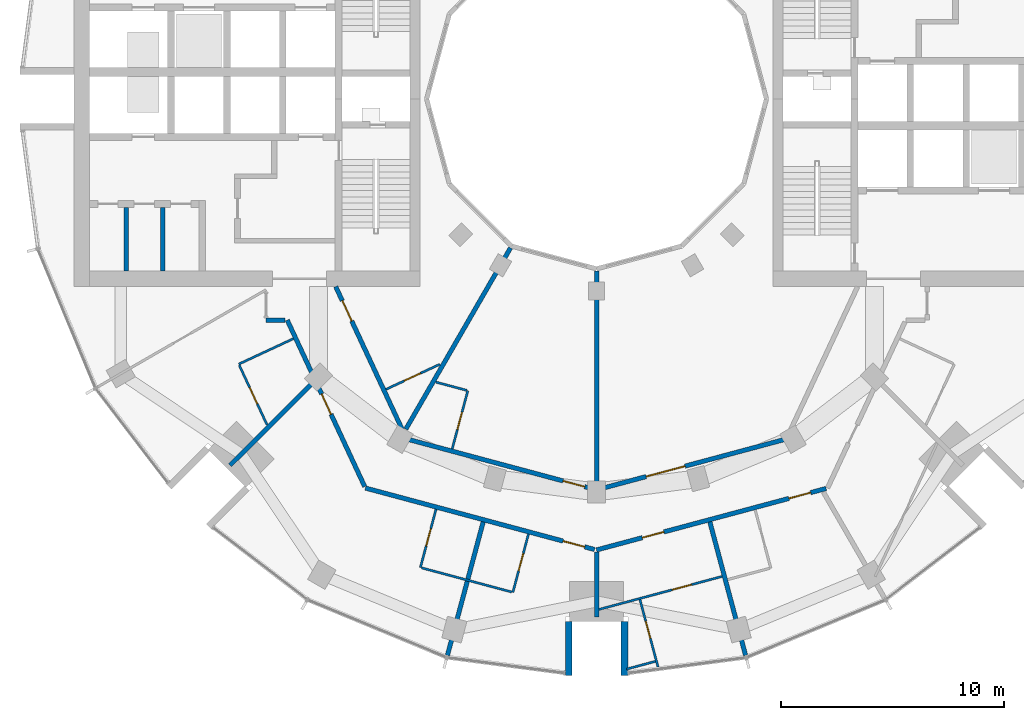
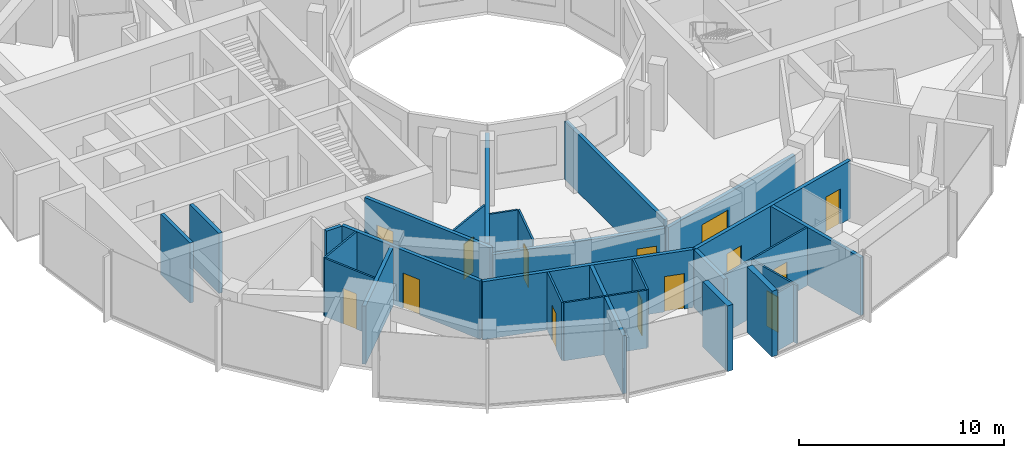
# One storey, part 8 of 15: 28 walls, 14 doors, 14 openings.
"""IFC4 building model written with IfcOpenShell, lengths in metres."""

from ifc_helpers import new_model, si_unit, direction, frame, frame_2d, origin, place, context, subcontext, project, spatial, rectangle, extrude, material, layer, layer_set, type_object, element, fill, save


model = new_model("IFC4")

# Units and contexts
model_context = context("Model", 3, precision=1e-05, world=origin(), true_north=direction((0.0, 1.0)))
body_context = subcontext(model_context, "Body", "Model", "MODEL_VIEW")
ifc_project = project(units=[si_unit("LENGTHUNIT", "METRE"), si_unit("AREAUNIT", "SQUARE_METRE"), si_unit("VOLUMEUNIT", "CUBIC_METRE"), si_unit("PLANEANGLEUNIT", "RADIAN"), si_unit("MASSUNIT", "GRAM", prefix="KILO")], contexts=[model_context])

# Site, building, storey
site_placement = place(None, origin())
site = spatial("IfcSite", under=ifc_project, at=site_placement, CompositionType="ELEMENT")
building_placement = place(site_placement, origin())
building = spatial("IfcBuilding", under=site, at=building_placement, Name="Torre Brocal", CompositionType="ELEMENT")
storey_placement = place(building_placement, frame((0.0, 0.0, 134.10009765625)))
storey = spatial("IfcBuildingStorey", under=building, at=storey_placement, Name="L31", CompositionType="ELEMENT", Elevation=134.10009765625)

# Walls
ifc_material_1 = material(Name="Masonry block", Category="masonry")
ifc_layer_1 = layer(ifc_material_1, 0.199951171875)
ifc_layer_set_1 = layer_set([ifc_layer_1], Name="Masonry block")
wall_type_1 = type_object("IfcWallType", Name="CORE PARTITION 200", PredefinedType="PARTITIONING", material=ifc_layer_set_1)
for number, where, z_axis, x_axis, name in (
    (1, (60.566650390625, 70.14990234375, 0.0), (0.0, 0.0, 1.0), (0.0, -1.0, 0.0), "Wall CP200"),
    (2, (58.933349609375, 70.14990234375, 0.0), (0.0, 0.0, 1.0), (0.0, -1.0, 0.0), "Wall CP200"),
):
    element("IfcWall", number, at=place(storey_placement, frame(where, z_axis=z_axis, x_axis=x_axis)), inside=storey, type_object=wall_type_1, Name=name, PredefinedType="PARTITIONING", context=body_context, shape_type="SweptSolid", body=[
        extrude(rectangle(XDim=2.849853515625, YDim=0.199951171875, at=frame_2d((1.4248046875, 0.0))), origin(), (0.0, 0.0, 1.0), 3.579833984375),
    ])
ifc_material_2 = material(Name="Concrete C70", Category="concrete")
ifc_layer_2 = layer(ifc_material_2, 0.300048828125)
ifc_layer_set_2 = layer_set([ifc_layer_2], Name="Concrete C70")
wall_type_2 = type_object("IfcWallType", Name="NOTCH RETURN WALL 300 C70", PredefinedType="NOTDEFINED", material=ifc_layer_set_2)
for number, where, z_axis, x_axis, name in (
    (3, (78.75, 51.60009765625, 0.0), (0.0, 0.0, 1.0), (0.0, -1.0, 0.0), "NOTCH RETURN WALL"),
    (4, (81.25, 51.60009765625, 0.0), (0.0, 0.0, 1.0), (0.0, -1.0, 0.0), "NOTCH RETURN WALL"),
):
    element("IfcWall", number, at=place(storey_placement, frame(where, z_axis=z_axis, x_axis=x_axis)), inside=storey, type_object=wall_type_2, Name=name, PredefinedType="NOTDEFINED", context=body_context, shape_type="SweptSolid", body=[
        extrude(rectangle(XDim=2.415771484375, YDim=0.300048828125, at=frame_2d((1.2080078125, 0.0))), origin(), (0.0, 0.0, 1.0), 3.89990234375),
    ])

# Wall, opening, door
ifc_material_3 = material(Name="Gypsum board", Category="Gypsum")
ifc_layer_3 = layer(ifc_material_3, 0.10009765625)
ifc_layer_set_3 = layer_set([ifc_layer_3], Name="Gypsum board")
wall_type_3 = type_object("IfcWallType", Name="PARTITION 100", PredefinedType="PARTITIONING", material=ifc_layer_set_3)
wall_1_placement = place(storey_placement, frame((64.001220703125, 63.081787109375, 0.0), z_axis=(0.0, 0.0, 1.0), x_axis=(0.422271882089, -0.906469225951, 0.0)))
wall_1 = element("IfcWall", 5, at=wall_1_placement, inside=storey, type_object=wall_type_3, Name="BATHROOM WALL", PredefinedType="PARTITIONING", context=body_context, shape_type="SweptSolid", body=[
    extrude(rectangle(XDim=2.941162109375, YDim=0.10009765625, at=frame_2d((1.470703125, 0.0))), origin(), (0.0, 0.0, 1.0), 3.449951171875),
])
opening_1_placement = place(wall_1_placement, frame((1.110595703125, 0.0, 0.0)))
opening_1 = element("IfcOpeningElement", 6, at=opening_1_placement, cuts=wall_1, Name="Opening E02-D39", PredefinedType="OPENING", context=body_context, shape_type="SweptSolid", body=[
    extrude(rectangle(XDim=0.800048828125, YDim=2.10009765625, at=frame_2d((0.39990234375, 1.050048828125))), frame((0.0, 0.06005859375, 0.0), z_axis=(0.0, -1.0, 0.0), x_axis=(1.0, 0.0, 0.0)), (0.0, 0.0, 1.0), 0.1201171875),
])
ifc_material_4 = material(Name="Timber", Category="wood")
door_type_1 = type_object("IfcDoorType", Name="BATHROOM DOOR 800X2100", OperationType="SINGLE_SWING_LEFT", PredefinedType="DOOR", material=ifc_material_4)
door_1_placement = place(opening_1_placement, origin())
door_1 = element("IfcDoor", 7, at=door_1_placement, inside=storey, type_object=door_type_1, Name="E02-D39", OperationType="SINGLE_SWING_RIGHT", OverallHeight=2.10009765625, OverallWidth=0.800048828125, PredefinedType="DOOR", context=body_context, shape_type="SweptSolid", body=[
    extrude(rectangle(XDim=0.800048828125, YDim=2.10009765625, at=frame_2d((0.39990234375, 1.050048828125))), frame((0.0, 0.02490234375, 0.0), z_axis=(0.0, -1.0, 0.0), x_axis=(1.0, 0.0, 0.0)), (0.0, 0.0, 1.0), 0.050048828125),
])
fill(opening_1, door_1)

# Wall
wall_2_placement = place(storey_placement, frame((63.97998046875, 63.126953125, 0.0), z_axis=(0.0, 0.0, 1.0), x_axis=(0.90649017149, 0.422226916469, 0.0)))
element("IfcWall", 8, at=wall_2_placement, inside=storey, type_object=wall_type_3, Name="BATHROOM WALL", PredefinedType="PARTITIONING", context=body_context, shape_type="SweptSolid", body=[
    extrude(rectangle(XDim=2.69970703125, YDim=0.10009765625, at=frame_2d((1.349853515625, 0.0))), origin(), (0.0, 0.0, 1.0), 3.449951171875),
])

# Wall, opening, door
wall_3_placement = place(storey_placement, frame((70.57373046875, 61.997314453125, 0.0), z_axis=(0.0, 0.0, 1.0), x_axis=(0.906511197636, 0.422181771942, 0.0)))
wall_3 = element("IfcWall", 9, at=wall_3_placement, inside=storey, type_object=wall_type_3, Name="BATHROOM WALL", PredefinedType="PARTITIONING", context=body_context, shape_type="SweptSolid", body=[
    extrude(rectangle(XDim=2.659423828125, YDim=0.10009765625, at=frame_2d((1.32958984375, 0.0))), origin(), (0.0, 0.0, 1.0), 3.449951171875),
])
opening_2_placement = place(wall_3_placement, frame((0.89990234375, 0.0, 0.0)))
opening_2 = element("IfcOpeningElement", 10, at=opening_2_placement, cuts=wall_3, Name="Opening E02-D45", PredefinedType="OPENING", context=body_context, shape_type="SweptSolid", body=[
    extrude(rectangle(XDim=0.800048828125, YDim=2.10009765625, at=frame_2d((0.39990234375, 1.050048828125))), frame((0.0, 0.06005859375, 0.0), z_axis=(0.0, -1.0, 0.0), x_axis=(1.0, 0.0, 0.0)), (0.0, 0.0, 1.0), 0.1201171875),
])
door_2_placement = place(opening_2_placement, frame((0.800048828125, 0.0, 0.0), z_axis=(0.0, 0.0, 1.0), x_axis=(-1.0, 0.0, 0.0)))
door_2 = element("IfcDoor", 11, at=door_2_placement, inside=storey, type_object=door_type_1, Name="E02-D45", OperationType="SINGLE_SWING_RIGHT", OverallHeight=2.10009765625, OverallWidth=0.800048828125, PredefinedType="DOOR", context=body_context, shape_type="SweptSolid", body=[
    extrude(rectangle(XDim=0.800048828125, YDim=2.10009765625, at=frame_2d((0.39990234375, 1.050048828125))), frame((0.0, 0.02490234375, 0.0), z_axis=(0.0, -1.0, 0.0), x_axis=(1.0, 0.0, 0.0)), (0.0, 0.0, 1.0), 0.050048828125),
])
fill(opening_2, door_2)

# Wall
wall_4_placement = place(storey_placement, frame((72.16748046875, 54.00390625, 0.0), z_axis=(0.0, 0.0, 1.0), x_axis=(0.965881316313, -0.258985101497, 0.0)))
element("IfcWall", 12, at=wall_4_placement, inside=storey, type_object=wall_type_3, Name="BATHROOM WALL", PredefinedType="PARTITIONING", context=body_context, shape_type="SweptSolid", body=[
    extrude(rectangle(XDim=4.181640625, YDim=0.10009765625, at=frame_2d((2.0908203125, 0.0))), origin(), (0.0, 0.0, 1.0), 3.449951171875),
])

# Wall, opening, door
wall_5_placement = place(storey_placement, frame((72.11376953125, 54.018310546875, 0.0), z_axis=(0.0, 0.0, 1.0), x_axis=(0.258945475746, 0.965891940432, 0.0)))
wall_5 = element("IfcWall", 13, at=wall_5_placement, inside=storey, type_object=wall_type_3, Name="BATHROOM WALL", PredefinedType="PARTITIONING", context=body_context, shape_type="SweptSolid", body=[
    extrude(rectangle(XDim=2.7001953125, YDim=0.10009765625, at=frame_2d((1.35009765625, 0.0))), origin(), (0.0, 0.0, 1.0), 3.449951171875),
])
opening_3_placement = place(wall_5_placement, frame((1.000244140625, 0.0, 0.0)))
opening_3 = element("IfcOpeningElement", 14, at=opening_3_placement, cuts=wall_5, Name="Opening E02-D37", PredefinedType="OPENING", context=body_context, shape_type="SweptSolid", body=[
    extrude(rectangle(XDim=0.800048828125, YDim=2.10009765625, at=frame_2d((0.39990234375, 1.050048828125))), frame((0.0, 0.06005859375, 0.0), z_axis=(0.0, -1.0, 0.0), x_axis=(1.0, 0.0, 0.0)), (0.0, 0.0, 1.0), 0.1201171875),
])
door_3_placement = place(opening_3_placement, frame((0.800048828125, 0.0, 0.0), z_axis=(0.0, 0.0, 1.0), x_axis=(-1.0, 0.0, 0.0)))
door_3 = element("IfcDoor", 15, at=door_3_placement, inside=storey, type_object=door_type_1, Name="E02-D37", OperationType="SINGLE_SWING_LEFT", OverallHeight=2.10009765625, OverallWidth=0.800048828125, PredefinedType="DOOR", context=body_context, shape_type="SweptSolid", body=[
    extrude(rectangle(XDim=0.800048828125, YDim=2.10009765625, at=frame_2d((0.39990234375, 1.050048828125))), frame((0.0, 0.02490234375, 0.0), z_axis=(0.0, -1.0, 0.0), x_axis=(1.0, 0.0, 0.0)), (0.0, 0.0, 1.0), 0.050048828125),
])
fill(opening_3, door_3)

# Wall
wall_6_placement = place(storey_placement, frame((72.803466796875, 62.322509765625, 0.0), z_axis=(0.0, 0.0, 1.0), x_axis=(0.965987704064, -0.258588003583, 0.0)))
element("IfcWall", 16, at=wall_6_placement, inside=storey, type_object=wall_type_3, Name="BATHROOM WALL", PredefinedType="PARTITIONING", context=body_context, shape_type="SweptSolid", body=[
    extrude(rectangle(XDim=1.428466796875, YDim=0.10009765625, at=frame_2d((0.71435546875, 0.0))), origin(), (0.0, 0.0, 1.0), 3.449951171875),
])

# Wall, opening, door
wall_7_placement = place(storey_placement, frame((73.5380859375, 59.331298828125, 0.0), z_axis=(0.0, 0.0, 1.0), x_axis=(0.259013334072, 0.965873745773, 0.0)))
wall_7 = element("IfcWall", 17, at=wall_7_placement, inside=storey, type_object=wall_type_3, Name="BATHROOM WALL", PredefinedType="PARTITIONING", context=body_context, shape_type="SweptSolid", body=[
    extrude(rectangle(XDim=2.699462890625, YDim=0.10009765625, at=frame_2d((1.349609375, 0.0))), origin(), (0.0, 0.0, 1.0), 3.449951171875),
])
opening_4_placement = place(wall_7_placement, frame((0.89990234375, 0.0, 0.0)))
opening_4 = element("IfcOpeningElement", 18, at=opening_4_placement, cuts=wall_7, Name="Opening E02-D43", PredefinedType="OPENING", context=body_context, shape_type="SweptSolid", body=[
    extrude(rectangle(XDim=0.800048828125, YDim=2.10009765625, at=frame_2d((0.39990234375, 1.050048828125))), frame((0.0, 0.06005859375, 0.0), z_axis=(0.0, -1.0, 0.0), x_axis=(1.0, 0.0, 0.0)), (0.0, 0.0, 1.0), 0.1201171875),
])
door_4_placement = place(opening_4_placement, origin())
door_4 = element("IfcDoor", 19, at=door_4_placement, inside=storey, type_object=door_type_1, Name="E02-D43", OperationType="SINGLE_SWING_LEFT", OverallHeight=2.10009765625, OverallWidth=0.800048828125, PredefinedType="DOOR", context=body_context, shape_type="SweptSolid", body=[
    extrude(rectangle(XDim=0.800048828125, YDim=2.10009765625, at=frame_2d((0.39990234375, 1.050048828125))), frame((0.0, 0.02490234375, 0.0), z_axis=(0.0, -1.0, 0.0), x_axis=(1.0, 0.0, 0.0)), (0.0, 0.0, 1.0), 0.050048828125),
])
fill(opening_4, door_4)

wall_8_placement = place(storey_placement, frame((76.2548828125, 52.908935546875, 0.0), z_axis=(0.0, 0.0, 1.0), x_axis=(0.25867580527, 0.965964195904, 0.0)))
wall_8 = element("IfcWall", 20, at=wall_8_placement, inside=storey, type_object=wall_type_3, Name="BATHROOM WALL", PredefinedType="PARTITIONING", context=body_context, shape_type="SweptSolid", body=[
    extrude(rectangle(XDim=2.69921875, YDim=0.10009765625, at=frame_2d((1.349609375, 0.0))), origin(), (0.0, 0.0, 1.0), 3.449951171875),
])
opening_5_placement = place(wall_8_placement, frame((0.99951171875, 0.0, 0.0)))
opening_5 = element("IfcOpeningElement", 21, at=opening_5_placement, cuts=wall_8, Name="Opening E02-D35", PredefinedType="OPENING", context=body_context, shape_type="SweptSolid", body=[
    extrude(rectangle(XDim=0.800048828125, YDim=2.10009765625, at=frame_2d((0.39990234375, 1.050048828125))), frame((0.0, 0.06005859375, 0.0), z_axis=(0.0, -1.0, 0.0), x_axis=(1.0, 0.0, 0.0)), (0.0, 0.0, 1.0), 0.1201171875),
])
door_5_placement = place(opening_5_placement, origin())
door_5 = element("IfcDoor", 22, at=door_5_placement, inside=storey, type_object=door_type_1, Name="E02-D35", OperationType="SINGLE_SWING_RIGHT", OverallHeight=2.10009765625, OverallWidth=0.800048828125, PredefinedType="DOOR", context=body_context, shape_type="SweptSolid", body=[
    extrude(rectangle(XDim=0.800048828125, YDim=2.10009765625, at=frame_2d((0.39990234375, 1.050048828125))), frame((0.0, 0.02490234375, 0.0), z_axis=(0.0, -1.0, 0.0), x_axis=(1.0, 0.0, 0.0)), (0.0, 0.0, 1.0), 0.050048828125),
])
fill(opening_5, door_5)

wall_9_placement = place(storey_placement, frame((80.106201171875, 52.140380859375, 0.0), z_axis=(0.0, 0.0, 1.0), x_axis=(0.965888724411, 0.25895747152, 0.0)))
wall_9 = element("IfcWall", 23, at=wall_9_placement, inside=storey, type_object=wall_type_3, Name="BATHROOM WALL", PredefinedType="PARTITIONING", context=body_context, shape_type="SweptSolid", body=[
    extrude(rectangle(XDim=5.714111328125, YDim=0.10009765625, at=frame_2d((2.85693359375, 0.0))), origin(), (0.0, 0.0, 1.0), 3.449951171875),
])
opening_6_placement = place(wall_9_placement, frame((3.392333984375, 0.0, 0.0)))
opening_6 = element("IfcOpeningElement", 24, at=opening_6_placement, cuts=wall_9, Name="Opening E02-D32", PredefinedType="OPENING", context=body_context, shape_type="SweptSolid", body=[
    extrude(rectangle(XDim=0.89990234375, YDim=2.10009765625, at=frame_2d((0.449951171875, 1.050048828125))), frame((0.0, 0.06005859375, 0.0), z_axis=(0.0, -1.0, 0.0), x_axis=(1.0, 0.0, 0.0)), (0.0, 0.0, 1.0), 0.1201171875),
])
ifc_material_5 = material(Name="Timber", Category="wood")
door_type_2 = type_object("IfcDoorType", Name="ROOM DOOR 900X2100", OperationType="SINGLE_SWING_LEFT", PredefinedType="DOOR", material=ifc_material_5)
door_6_placement = place(opening_6_placement, frame((0.89990234375, 0.0, 0.0), z_axis=(0.0, 0.0, 1.0), x_axis=(-1.0, 0.0, 0.0)))
door_6 = element("IfcDoor", 25, at=door_6_placement, inside=storey, type_object=door_type_2, Name="E02-D32", OperationType="SINGLE_SWING_LEFT", OverallHeight=2.10009765625, OverallWidth=0.89990234375, PredefinedType="DOOR", context=body_context, shape_type="SweptSolid", body=[
    extrude(rectangle(XDim=0.89990234375, YDim=2.10009765625, at=frame_2d((0.449951171875, 1.050048828125))), frame((0.0, 0.02490234375, 0.0), z_axis=(0.0, -1.0, 0.0), x_axis=(1.0, 0.0, 0.0)), (0.0, 0.0, 1.0), 0.050048828125),
])
fill(opening_6, door_6)

# Wall
wall_10_placement = place(storey_placement, frame((81.342041015625, 49.468994140625, 0.0), z_axis=(0.0, 0.0, 1.0), x_axis=(0.965825019766, 0.259194967533, 0.0)))
element("IfcWall", 26, at=wall_10_placement, inside=storey, type_object=wall_type_3, Name="BATHROOM WALL", PredefinedType="PARTITIONING", context=body_context, shape_type="SweptSolid", body=[
    extrude(rectangle(XDim=1.33837890625, YDim=0.10009765625, at=frame_2d((0.669189453125, 0.0))), origin(), (0.0, 0.0, 1.0), 3.449951171875),
])

# Wall, opening, door
wall_11_placement = place(storey_placement, frame((81.945068359375, 52.581787109375, 0.0), z_axis=(0.0, 0.0, 1.0), x_axis=(0.258941837668, -0.965892915755, 0.0)))
wall_11 = element("IfcWall", 27, at=wall_11_placement, inside=storey, type_object=wall_type_3, Name="BATHROOM WALL", PredefinedType="PARTITIONING", context=body_context, shape_type="SweptSolid", body=[
    extrude(rectangle(XDim=3.12353515625, YDim=0.10009765625, at=frame_2d((1.561767578125, 0.0))), origin(), (0.0, 0.0, 1.0), 3.449951171875),
])
opening_7_placement = place(wall_11_placement, frame((1.0, 0.0, 0.0)))
opening_7 = element("IfcOpeningElement", 28, at=opening_7_placement, cuts=wall_11, Name="Opening E02-D33", PredefinedType="OPENING", context=body_context, shape_type="SweptSolid", body=[
    extrude(rectangle(XDim=0.800048828125, YDim=2.10009765625, at=frame_2d((0.39990234375, 1.050048828125))), frame((0.0, 0.06005859375, 0.0), z_axis=(0.0, -1.0, 0.0), x_axis=(1.0, 0.0, 0.0)), (0.0, 0.0, 1.0), 0.1201171875),
])
door_7_placement = place(opening_7_placement, frame((0.800048828125, 0.0, 0.0), z_axis=(0.0, 0.0, 1.0), x_axis=(-1.0, 0.0, 0.0)))
door_7 = element("IfcDoor", 29, at=door_7_placement, inside=storey, type_object=door_type_1, Name="E02-D33", OperationType="SINGLE_SWING_RIGHT", OverallHeight=2.10009765625, OverallWidth=0.800048828125, PredefinedType="DOOR", context=body_context, shape_type="SweptSolid", body=[
    extrude(rectangle(XDim=0.800048828125, YDim=2.10009765625, at=frame_2d((0.39990234375, 1.050048828125))), frame((0.0, 0.02490234375, 0.0), z_axis=(0.0, -1.0, 0.0), x_axis=(1.0, 0.0, 0.0)), (0.0, 0.0, 1.0), 0.050048828125),
])
fill(opening_7, door_7)

# Walls
ifc_material_6 = material(Name="Gypsum board", Category="Gypsum")
ifc_layer_4 = layer(ifc_material_6, 0.199951171875)
ifc_layer_set_4 = layer_set([ifc_layer_4], Name="Gypsum board")
wall_type_4 = type_object("IfcWallType", Name="PARTITION 200 EI60", PredefinedType="PARTITIONING", material=ifc_layer_set_4)
wall_12_placement = place(storey_placement, frame((63.59228515625, 58.59912109375, 0.0), z_axis=(0.0, 0.0, 1.0), x_axis=(0.707292886396, 0.706920626982, 0.0)))
element("IfcWall", 30, at=wall_12_placement, inside=storey, type_object=wall_type_4, Name="BATHROOM WALL", PredefinedType="PARTITIONING", context=body_context, shape_type="SweptSolid", body=[
    extrude(rectangle(XDim=5.24658203125, YDim=0.199951171875, at=frame_2d((2.623291015625, 0.0))), origin(), (0.0, 0.0, 1.0), 3.449951171875),
])
wall_13_placement = place(storey_placement, frame((65.199951171875, 65.10009765625, 0.0), z_axis=(0.0, 0.0, 1.0), x_axis=(1.0, 0.0, 0.0)))
element("IfcWall", 31, at=wall_13_placement, inside=storey, type_object=wall_type_4, Name="GUESTROOM CORRIDOR WALL", PredefinedType="PARTITIONING", context=body_context, shape_type="SweptSolid", body=[
    extrude(rectangle(XDim=0.860107421875, YDim=0.199951171875, at=frame_2d((0.43017578125, 0.0))), origin(), (0.0, 0.0, 1.0), 3.449951171875),
])

# Wall, opening, door
wall_14_placement = place(storey_placement, frame((66.150390625, 65.10009765625, 0.0), z_axis=(0.0, 0.0, 1.0), x_axis=(0.421814710342, -0.906682055706, 0.0)))
wall_14 = element("IfcWall", 32, at=wall_14_placement, inside=storey, type_object=wall_type_4, Name="GUESTROOM CORRIDOR WALL", PredefinedType="PARTITIONING", context=body_context, shape_type="SweptSolid", body=[
    extrude(rectangle(XDim=8.22802734375, YDim=0.199951171875, at=frame_2d((4.114013671875, 0.0))), origin(), (0.0, 0.0, 1.0), 3.449951171875),
])
opening_8_placement = place(wall_14_placement, frame((3.654052734375, 0.0, 0.0)))
opening_8 = element("IfcOpeningElement", 33, at=opening_8_placement, cuts=wall_14, Name="Opening E02-D36", PredefinedType="OPENING", context=body_context, shape_type="SweptSolid", body=[
    extrude(rectangle(XDim=1.0, YDim=2.10009765625, at=frame_2d((0.5, 1.050048828125))), frame((0.0, 0.10986328125, 0.0), z_axis=(0.0, -1.0, 0.0), x_axis=(1.0, 0.0, 0.0)), (0.0, 0.0, 1.0), 0.219970703125),
])
ifc_material_7 = material(Name="Timber", Category="wood")
door_type_3 = type_object("IfcDoorType", Name="FLAT ENTRY DOOR FD30S 1000X2100", OperationType="SINGLE_SWING_RIGHT", PredefinedType="DOOR", material=ifc_material_7)
door_8_placement = place(opening_8_placement, frame((1.0, 0.0, 0.0), z_axis=(0.0, 0.0, 1.0), x_axis=(-1.0, 0.0, 0.0)))
door_8 = element("IfcDoor", 34, at=door_8_placement, inside=storey, type_object=door_type_3, Name="E02-D36", OperationType="SINGLE_SWING_RIGHT", OverallHeight=2.10009765625, OverallWidth=1.0, PredefinedType="DOOR", context=body_context, shape_type="SweptSolid", body=[
    extrude(rectangle(XDim=1.0, YDim=2.10009765625, at=frame_2d((0.5, 1.050048828125))), frame((0.0, 0.02490234375, 0.0), z_axis=(0.0, -1.0, 0.0), x_axis=(1.0, 0.0, 0.0)), (0.0, 0.0, 1.0), 0.050048828125),
])
fill(opening_8, door_8)

wall_15_placement = place(storey_placement, frame((68.32080078125, 66.600341796875, 0.0), z_axis=(0.0, 0.0, 1.0), x_axis=(0.421914092414, -0.906635813666, 0.0)))
wall_15 = element("IfcWall", 35, at=wall_15_placement, inside=storey, type_object=wall_type_4, Name="GUESTROOM CORRIDOR WALL", PredefinedType="PARTITIONING", context=body_context, shape_type="SweptSolid", body=[
    extrude(rectangle(XDim=7.45947265625, YDim=0.199951171875, at=frame_2d((3.729736328125, 0.0))), origin(), (0.0, 0.0, 1.0), 3.449951171875),
])
opening_9_placement = place(wall_15_placement, frame((0.699951171875, 0.0, 0.0)))
opening_9 = element("IfcOpeningElement", 36, at=opening_9_placement, cuts=wall_15, Name="Opening E02-D44", PredefinedType="OPENING", context=body_context, shape_type="SweptSolid", body=[
    extrude(rectangle(XDim=1.0, YDim=2.10009765625, at=frame_2d((0.5, 1.050048828125))), frame((0.0, 0.10986328125, 0.0), z_axis=(0.0, -1.0, 0.0), x_axis=(1.0, 0.0, 0.0)), (0.0, 0.0, 1.0), 0.219970703125),
])
door_9_placement = place(opening_9_placement, origin())
door_9 = element("IfcDoor", 37, at=door_9_placement, inside=storey, type_object=door_type_3, Name="E02-D44", OperationType="SINGLE_SWING_LEFT", OverallHeight=2.10009765625, OverallWidth=1.0, PredefinedType="DOOR", context=body_context, shape_type="SweptSolid", body=[
    extrude(rectangle(XDim=1.0, YDim=2.10009765625, at=frame_2d((0.5, 1.050048828125))), frame((0.0, 0.02490234375, 0.0), z_axis=(0.0, -1.0, 0.0), x_axis=(1.0, 0.0, 0.0)), (0.0, 0.0, 1.0), 0.050048828125),
])
fill(opening_9, door_9)

wall_16_placement = place(storey_placement, frame((69.652099609375, 57.57763671875, 0.0), z_axis=(0.0, 0.0, 1.0), x_axis=(0.965851674805, -0.259095623807, 0.0)))
wall_16 = element("IfcWall", 38, at=wall_16_placement, inside=storey, type_object=wall_type_4, Name="GUESTROOM CORRIDOR WALL", PredefinedType="PARTITIONING", context=body_context, shape_type="SweptSolid", body=[
    extrude(rectangle(XDim=10.623291015625, YDim=0.199951171875, at=frame_2d((5.3115234375, 0.0))), origin(), (0.0, 0.0, 1.0), 3.449951171875),
])
opening_10_placement = place(wall_16_placement, frame((9.1630859375, 0.0, 0.0)))
opening_10 = element("IfcOpeningElement", 39, at=opening_10_placement, cuts=wall_16, Name="Opening E02-D34", PredefinedType="OPENING", context=body_context, shape_type="SweptSolid", body=[
    extrude(rectangle(XDim=1.0, YDim=2.10009765625, at=frame_2d((0.5, 1.050048828125))), frame((0.0, 0.10986328125, 0.0), z_axis=(0.0, -1.0, 0.0), x_axis=(1.0, 0.0, 0.0)), (0.0, 0.0, 1.0), 0.219970703125),
])
door_10_placement = place(opening_10_placement, frame((1.0, 0.0, 0.0), z_axis=(0.0, 0.0, 1.0), x_axis=(-1.0, 0.0, 0.0)))
door_10 = element("IfcDoor", 40, at=door_10_placement, inside=storey, type_object=door_type_3, Name="E02-D34", OperationType="SINGLE_SWING_LEFT", OverallHeight=2.10009765625, OverallWidth=1.0, PredefinedType="DOOR", context=body_context, shape_type="SweptSolid", body=[
    extrude(rectangle(XDim=1.0, YDim=2.10009765625, at=frame_2d((0.5, 1.050048828125))), frame((0.0, 0.02490234375, 0.0), z_axis=(0.0, -1.0, 0.0), x_axis=(1.0, 0.0, 0.0)), (0.0, 0.0, 1.0), 0.050048828125),
])
fill(opening_10, door_10)

# Walls
wall_17_placement = place(storey_placement, frame((71.462158203125, 60.216796875, 0.0), z_axis=(0.0, 0.0, 1.0), x_axis=(0.500094460186, 0.865970860302, 0.0)))
element("IfcWall", 41, at=wall_17_placement, inside=storey, type_object=wall_type_4, Name="BATHROOM WALL", PredefinedType="PARTITIONING", context=body_context, shape_type="SweptSolid", body=[
    extrude(rectangle(XDim=9.373291015625, YDim=0.199951171875, at=frame_2d((4.6865234375, 0.0))), origin(), (0.0, 0.0, 1.0), 3.449951171875),
])
wall_18_placement = place(storey_placement, frame((73.322509765625, 50.080810546875, 0.0), z_axis=(0.0, 0.0, 1.0), x_axis=(0.258983179771, 0.96588183159, 0.0)))
element("IfcWall", 42, at=wall_18_placement, inside=storey, type_object=wall_type_4, Name="BATHROOM WALL", PredefinedType="PARTITIONING", context=body_context, shape_type="SweptSolid", body=[
    extrude(rectangle(XDim=6.189697265625, YDim=0.199951171875, at=frame_2d((3.0947265625, 0.0))), origin(), (0.0, 0.0, 1.0), 3.449951171875),
])
wall_19_placement = place(storey_placement, frame((80.0, 51.800048828125, 0.0), z_axis=(0.0, 0.0, 1.0), x_axis=(0.0, 1.0, 0.0)))
element("IfcWall", 43, at=wall_19_placement, inside=storey, type_object=wall_type_4, Name="BATHROOM WALL", PredefinedType="PARTITIONING", context=body_context, shape_type="SweptSolid", body=[
    extrude(rectangle(XDim=2.9140625, YDim=0.199951171875, at=frame_2d((1.45703125, 0.0))), origin(), (0.0, 0.0, 1.0), 3.449951171875),
])

# Wall, openings, doors
wall_20_placement = place(storey_placement, frame((79.999755859375, 54.80517578125, 0.0), z_axis=(0.0, 0.0, 1.0), x_axis=(0.965967909695, 0.258661936588, 0.0)))
wall_20 = element("IfcWall", 44, at=wall_20_placement, inside=storey, type_object=wall_type_4, Name="FLAT ENTRANCE WALL", PredefinedType="PARTITIONING", context=body_context, shape_type="SweptSolid", body=[
    extrude(rectangle(XDim=10.64306640625, YDim=0.199951171875, at=frame_2d((5.321533203125, 0.0))), origin(), (0.0, 0.0, 1.0), 3.449951171875),
])
opening_11_placement = place(wall_20_placement, frame((8.9248046875, 0.0, 0.0)))
opening_11 = element("IfcOpeningElement", 45, at=opening_11_placement, cuts=wall_20, Name="Opening E02-D29", PredefinedType="OPENING", context=body_context, shape_type="SweptSolid", body=[
    extrude(rectangle(XDim=1.0, YDim=2.10009765625, at=frame_2d((0.5, 1.050048828125))), frame((0.0, 0.10986328125, 0.0), z_axis=(0.0, -1.0, 0.0), x_axis=(1.0, 0.0, 0.0)), (0.0, 0.0, 1.0), 0.219970703125),
])
opening_12_placement = place(wall_20_placement, frame((2.123291015625, 0.0, 0.0)))
opening_12 = element("IfcOpeningElement", 46, at=opening_12_placement, cuts=wall_20, Name="Opening E02-D31", PredefinedType="OPENING", context=body_context, shape_type="SweptSolid", body=[
    extrude(rectangle(XDim=1.0, YDim=2.10009765625, at=frame_2d((0.5, 1.050048828125))), frame((0.0, 0.10986328125, 0.0), z_axis=(0.0, -1.0, 0.0), x_axis=(1.0, 0.0, 0.0)), (0.0, 0.0, 1.0), 0.219970703125),
])
door_11_placement = place(opening_11_placement, frame((1.0, 0.0, 0.0), z_axis=(0.0, 0.0, 1.0), x_axis=(-1.0, 0.0, 0.0)))
door_11 = element("IfcDoor", 47, at=door_11_placement, inside=storey, type_object=door_type_3, Name="E02-D29", OperationType="SINGLE_SWING_LEFT", OverallHeight=2.10009765625, OverallWidth=1.0, PredefinedType="DOOR", context=body_context, shape_type="SweptSolid", body=[
    extrude(rectangle(XDim=1.0, YDim=2.10009765625, at=frame_2d((0.5, 1.050048828125))), frame((0.0, 0.02490234375, 0.0), z_axis=(0.0, -1.0, 0.0), x_axis=(1.0, 0.0, 0.0)), (0.0, 0.0, 1.0), 0.050048828125),
])
fill(opening_11, door_11)
door_12_placement = place(opening_12_placement, frame((1.0, 0.0, 0.0), z_axis=(0.0, 0.0, 1.0), x_axis=(-1.0, 0.0, 0.0)))
door_12 = element("IfcDoor", 48, at=door_12_placement, inside=storey, type_object=door_type_3, Name="E02-D31", OperationType="SINGLE_SWING_LEFT", OverallHeight=2.10009765625, OverallWidth=1.0, PredefinedType="DOOR", context=body_context, shape_type="SweptSolid", body=[
    extrude(rectangle(XDim=1.0, YDim=2.10009765625, at=frame_2d((0.5, 1.050048828125))), frame((0.0, 0.02490234375, 0.0), z_axis=(0.0, -1.0, 0.0), x_axis=(1.0, 0.0, 0.0)), (0.0, 0.0, 1.0), 0.050048828125),
])
fill(opening_12, door_12)

# Walls
wall_21_placement = place(storey_placement, frame((80.0, 57.626953125, 0.0), z_axis=(0.0, 0.0, 1.0), x_axis=(0.0, 1.0, 0.0)))
element("IfcWall", 49, at=wall_21_placement, inside=storey, type_object=wall_type_4, Name="PARTY PARTITION", PredefinedType="PARTITIONING", context=body_context, shape_type="SweptSolid", body=[
    extrude(rectangle(XDim=9.673095703125, YDim=0.199951171875, at=frame_2d((4.83642578125, 0.0))), origin(), (0.0, 0.0, 1.0), 3.449951171875),
])
wall_22_placement = place(storey_placement, frame((85.0751953125, 56.060546875, 0.0), z_axis=(0.0, 0.0, 1.0), x_axis=(0.258703231129, -0.965956851109, 0.0)))
element("IfcWall", 50, at=wall_22_placement, inside=storey, type_object=wall_type_4, Name="BATHROOM WALL", PredefinedType="PARTITIONING", context=body_context, shape_type="SweptSolid", body=[
    extrude(rectangle(XDim=6.190673828125, YDim=0.199951171875, at=frame_2d((3.09521484375, 0.0))), origin(), (0.0, 0.0, 1.0), 3.449951171875),
])

# Wall, opening, door
ifc_material_8 = material(Name="Gypsum board", Category="Gypsum")
ifc_layer_5 = layer(ifc_material_8, 0.199951171875)
ifc_layer_set_5 = layer_set([ifc_layer_5], Name="Gypsum board")
wall_type_5 = type_object("IfcWallType", Name="PARTITION 200 EI60 UNDER BEAM 820", PredefinedType="PARTITIONING", material=ifc_layer_set_5)
wall_23_placement = place(storey_placement, frame((71.498046875, 59.774169921875, 0.0), z_axis=(0.0, 0.0, 1.0), x_axis=(0.965912232838, -0.258869771225, 0.0)))
wall_23 = element("IfcWall", 51, at=wall_23_placement, inside=storey, type_object=wall_type_5, Name="GUESTROOM CORRIDOR WALL", PredefinedType="PARTITIONING", context=body_context, shape_type="SweptSolid", body=[
    extrude(rectangle(XDim=8.671875, YDim=0.199951171875, at=frame_2d((4.3359375, 0.0))), origin(), (0.0, 0.0, 1.0), 3.079833984375),
])
opening_13_placement = place(wall_23_placement, frame((7.251953125, 0.0, 0.0)))
opening_13 = element("IfcOpeningElement", 52, at=opening_13_placement, cuts=wall_23, Name="Opening E02-D42", PredefinedType="OPENING", context=body_context, shape_type="SweptSolid", body=[
    extrude(rectangle(XDim=1.0, YDim=2.10009765625, at=frame_2d((0.5, 1.050048828125))), frame((0.0, 0.10986328125, 0.0), z_axis=(0.0, -1.0, 0.0), x_axis=(1.0, 0.0, 0.0)), (0.0, 0.0, 1.0), 0.219970703125),
])
door_13_placement = place(opening_13_placement, origin())
door_13 = element("IfcDoor", 53, at=door_13_placement, inside=storey, type_object=door_type_3, Name="E02-D42", OperationType="SINGLE_SWING_RIGHT", OverallHeight=2.10009765625, OverallWidth=1.0, PredefinedType="DOOR", context=body_context, shape_type="SweptSolid", body=[
    extrude(rectangle(XDim=1.0, YDim=2.10009765625, at=frame_2d((0.5, 1.050048828125))), frame((0.0, 0.02490234375, 0.0), z_axis=(0.0, -1.0, 0.0), x_axis=(1.0, 0.0, 0.0)), (0.0, 0.0, 1.0), 0.050048828125),
])
fill(opening_13, door_13)

wall_24_placement = place(storey_placement, frame((80.0009765625, 57.49609375, 0.0), z_axis=(0.0, 0.0, 1.0), x_axis=(0.965924211089, 0.258825073035, 0.0)))
wall_24 = element("IfcWall", 54, at=wall_24_placement, inside=storey, type_object=wall_type_5, Name="GUESTROOM CORRIDOR WALL", PredefinedType="PARTITIONING", context=body_context, shape_type="SweptSolid", body=[
    extrude(rectangle(XDim=8.73095703125, YDim=0.199951171875, at=frame_2d((4.365478515625, 0.0))), origin(), (0.0, 0.0, 1.0), 3.079833984375),
])
opening_14_placement = place(wall_24_placement, frame((2.300048828125, 0.0, 0.0)))
opening_14 = element("IfcOpeningElement", 55, at=opening_14_placement, cuts=wall_24, Name="Opening E02-D41", PredefinedType="OPENING", context=body_context, shape_type="SweptSolid", body=[
    extrude(rectangle(XDim=1.800048828125, YDim=2.10009765625, at=frame_2d((0.89990234375, 1.050048828125))), frame((0.0, 0.10986328125, 0.0), z_axis=(0.0, -1.0, 0.0), x_axis=(1.0, 0.0, 0.0)), (0.0, 0.0, 1.0), 0.219970703125),
])
ifc_material_9 = material(Name="Timber", Category="wood")
door_type_4 = type_object("IfcDoorType", Name="DOUBLE DOOR 1800X2100", OperationType="DOUBLE_DOOR_SINGLE_SWING", PredefinedType="DOOR", material=ifc_material_9)
door_14_placement = place(opening_14_placement, origin())
door_14 = element("IfcDoor", 56, at=door_14_placement, inside=storey, type_object=door_type_4, Name="E02-D41", OperationType="DOUBLE_DOOR_SINGLE_SWING", OverallHeight=2.10009765625, OverallWidth=1.800048828125, PredefinedType="DOOR", context=body_context, shape_type="SweptSolid", body=[
    extrude(rectangle(XDim=1.800048828125, YDim=2.10009765625, at=frame_2d((0.89990234375, 1.050048828125))), frame((0.0, 0.02490234375, 0.0), z_axis=(0.0, -1.0, 0.0), x_axis=(1.0, 0.0, 0.0)), (0.0, 0.0, 1.0), 0.050048828125),
])
fill(opening_14, door_14)

save(model, "model.ifc")
